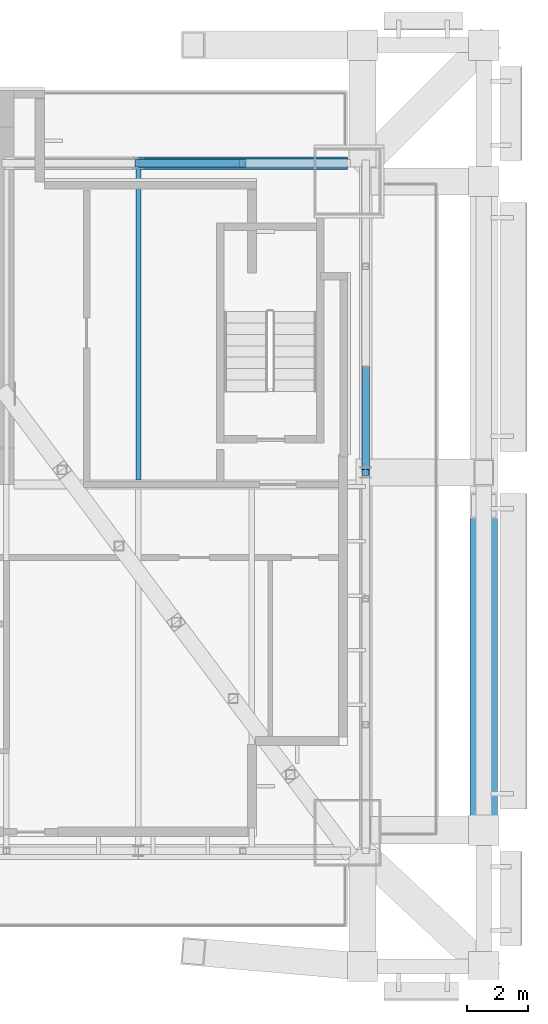
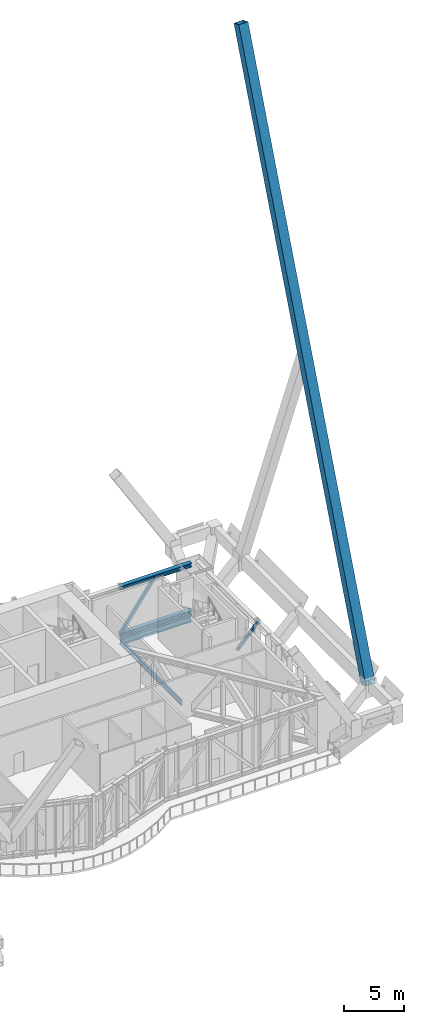
# One storey, part 16 of 30: 5 members, 2 beams.
"""IFC4 building model written with IfcOpenShell, lengths in metres."""

from ifc_helpers import new_model, si_unit, direction, frame, origin, origin_2d, place, context, subcontext, project, spatial, hollow_rectangle, i_section, extrude, material, material_profile, profile_set, type_object, element, save


model = new_model("IFC4")

# Units and contexts
model_context = context("Model", 3, precision=1e-05, world=origin(), true_north=direction((0.0, 1.0)))
body_context = subcontext(model_context, "Body", "Model", "MODEL_VIEW")
ifc_project = project(units=[si_unit("LENGTHUNIT", "METRE"), si_unit("AREAUNIT", "SQUARE_METRE"), si_unit("VOLUMEUNIT", "CUBIC_METRE"), si_unit("PLANEANGLEUNIT", "RADIAN"), si_unit("MASSUNIT", "GRAM", prefix="KILO")], contexts=[model_context])

# Site, building, storey
site_placement = place(None, origin())
site = spatial("IfcSite", under=ifc_project, at=site_placement, CompositionType="ELEMENT")
building_placement = place(site_placement, origin())
building = spatial("IfcBuilding", under=site, at=building_placement, Name="Bicima Exchange Tower", CompositionType="ELEMENT")
storey_placement = place(building_placement, frame((0.0, 0.0, 287.60009765625)))
storey = spatial("IfcBuildingStorey", under=building, at=storey_placement, Name="L65", CompositionType="ELEMENT", Elevation=287.60009765625)

# Members
ifc_material_1 = material(Name="Steel ASTM A992 Gr 50", Category="steel")
ifc_material_profile_1 = material_profile(ifc_material_1, i_section(OverallWidth=0.406494140625, OverallDepth=0.41650390625, WebThickness=0.030029296875, FlangeThickness=0.048095703125, at=origin_2d()))
ifc_profile_set_1 = profile_set([ifc_material_profile_1], Name="Steel ASTM A992 Gr 50")
member_type_1 = type_object("IfcMemberType", Name="Belt truss chord W14x257", PredefinedType="CHORD", material=ifc_profile_set_1)
for number, where, z_axis, x_axis, name in (
    (1, (26.10009765625, -2.39990234375, 5.04150390625), (1.0, 0.0, 0.0), (0.0, 1.0, 0.0), "Top chord"),
    (2, (26.10009765625, -2.39990234375, 0.208251953125), (1.0, 0.0, 0.0), (0.0, 1.0, 0.0), "Bottom chord"),
):
    element("IfcMember", number, at=place(storey_placement, frame(where, z_axis=z_axis, x_axis=x_axis)), inside=storey, type_object=member_type_1, Name=name, PredefinedType="CHORD", context=body_context, shape_type="SweptSolid", body=[
        extrude(i_section(OverallWidth=0.406494140625, OverallDepth=0.41650390625, WebThickness=0.030029296875, FlangeThickness=0.048095703125, at=origin_2d()), origin(), (0.0, 0.0, 1.0), 6.89990234375),
    ])
ifc_material_2 = material(Name="Steel ASTM A572 Gr 50", Category="steel")
ifc_material_profile_2 = material_profile(ifc_material_2, hollow_rectangle(XDim=0.25390625, YDim=0.25390625, WallThickness=0.01171875, at=origin_2d()))
ifc_profile_set_2 = profile_set([ifc_material_profile_2], Name="Steel ASTM A572 Gr 50")
member_type_2 = type_object("IfcMemberType", Name="Belt truss diagonal HSS10x10x1/2", PredefinedType="STRUT", material=ifc_profile_set_2)
member_1_placement = place(storey_placement, frame((26.10009765625, -2.39990234375, 0.208251953125), z_axis=(0.580973703743, 0.0, 0.813922327719), x_axis=(0.0, 1.0, 0.0)))
element("IfcMember", 3, at=member_1_placement, inside=storey, type_object=member_type_2, Name="Truss diagonal", PredefinedType="STRUT", context=body_context, shape_type="SweptSolid", body=[
    extrude(hollow_rectangle(XDim=0.25390625, YDim=0.25390625, WallThickness=0.01171875, at=origin_2d()), origin(), (0.0, 0.0, 1.0), 5.938232421875),
])
member_2_placement = place(storey_placement, frame((33.60009765625, -9.199951171875, 0.208251953125), z_axis=(0.0, -0.575376736325, 0.817888507864), x_axis=(1.0, 0.0, 0.0)))
element("IfcMember", 4, at=member_2_placement, inside=storey, type_object=member_type_2, Name="Truss diagonal", PredefinedType="STRUT", context=body_context, shape_type="SweptSolid", body=[
    extrude(hollow_rectangle(XDim=0.25390625, YDim=0.25390625, WallThickness=0.01171875, at=origin_2d()), origin(), (0.0, 0.0, 1.0), 5.909423828125),
])
ifc_material_profile_3 = material_profile(ifc_material_2, hollow_rectangle(XDim=0.89990234375, YDim=0.89990234375, WallThickness=0.050048828125, at=origin_2d()))
ifc_profile_set_3 = profile_set([ifc_material_profile_3], Name="Steel ASTM A572 Gr 50")
member_type_3 = type_object("IfcMemberType", Name="Exo mega brace BOX 900x900x50", PredefinedType="BRACE", material=ifc_profile_set_3)
member_3_placement = place(storey_placement, frame((37.5, -24.400634765625, 4.5), z_axis=(0.0, 0.363480782121, 0.931601696558), x_axis=(-1.0, 0.0, 0.0)))
element("IfcMember", 5, at=member_3_placement, inside=storey, type_object=member_type_3, Name="Exo mega brace end", PredefinedType="BRACE", context=body_context, shape_type="SweptSolid", body=[
    extrude(hollow_rectangle(XDim=0.89990234375, YDim=0.89990234375, WallThickness=0.050048828125, at=origin_2d()), origin(), (0.0, 0.0, 1.0), 58.876953125),
])

# Beams
ifc_material_profile_4 = material_profile(ifc_material_1, i_section(OverallWidth=0.165771484375, OverallDepth=0.5283203125, WebThickness=0.009765625, FlangeThickness=0.013671875, at=origin_2d()))
ifc_profile_set_4 = profile_set([ifc_material_profile_4], Name="Steel ASTM A992 Gr 50")
beam_type_1 = type_object("IfcBeamType", Name="Floor beam W21x50", PredefinedType="JOIST", material=ifc_profile_set_4)
beam_1_placement = place(storey_placement, frame((26.10009765625, -2.5625, -0.46435546875), z_axis=(0.0, -1.0, 0.0), x_axis=(1.0, 0.0, 0.0)))
element("IfcBeam", 6, at=beam_1_placement, inside=storey, type_object=beam_type_1, Name="Floor beam", PredefinedType="JOIST", context=body_context, shape_type="SweptSolid", body=[
    extrude(i_section(OverallWidth=0.165771484375, OverallDepth=0.5283203125, WebThickness=0.009765625, FlangeThickness=0.013671875, at=origin_2d()), origin(), (0.0, 0.0, 1.0), 10.28515625),
])
ifc_material_profile_5 = material_profile(ifc_material_1, i_section(OverallWidth=0.3251953125, OverallDepth=0.612060546875, WebThickness=0.0126953125, FlangeThickness=0.01904296875, at=origin_2d()))
ifc_profile_set_5 = profile_set([ifc_material_profile_5], Name="Steel ASTM A992 Gr 50")
beam_type_2 = type_object("IfcBeamType", Name="Rear girder W24x104", PredefinedType="BEAM", material=ifc_profile_set_5)
beam_2_placement = place(storey_placement, frame((26.10009765625, -2.39990234375, -0.506103515625), z_axis=(1.0, 0.0, 0.0), x_axis=(0.0, 1.0, 0.0)))
element("IfcBeam", 7, at=beam_2_placement, inside=storey, type_object=beam_type_2, Name="Rear girder", PredefinedType="BEAM", context=body_context, shape_type="SweptSolid", body=[
    extrude(i_section(OverallWidth=0.3251953125, OverallDepth=0.612060546875, WebThickness=0.0126953125, FlangeThickness=0.01904296875, at=origin_2d()), origin(), (0.0, 0.0, 1.0), 6.89990234375),
])

save(model, "model.ifc")
